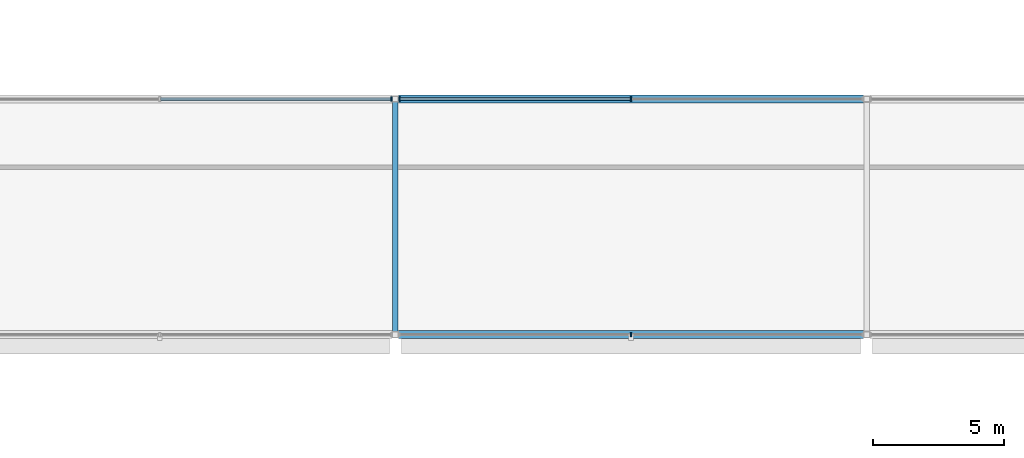
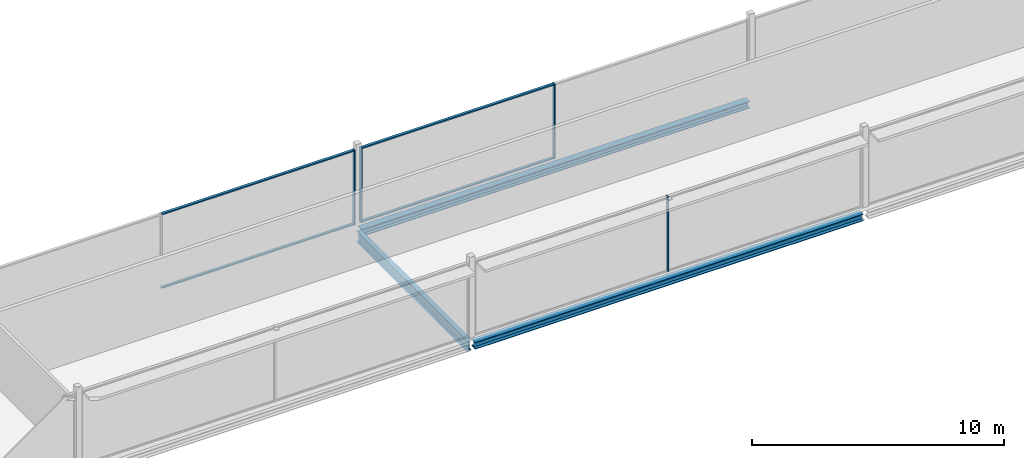
# One storey, part 38 of 98: 8 members, 3 beams, 3 elements without a shape of their own.
"""IFC4 building model written with IfcOpenShell, lengths in metres."""

from ifc_helpers import new_model, si_unit, direction, frame, origin, origin_2d, place, context, subcontext, project, spatial, rectangle, i_section, extrude, material, layer, layer_set, material_profile, profile_set, type_object, element, aggregate, save


model = new_model("IFC4")

# Units and contexts
model_context = context("Model", 3, precision=1e-05, world=origin(), true_north=direction((0.0, 1.0)))
body_context = subcontext(model_context, "Body", "Model", "MODEL_VIEW")
ifc_project = project(units=[si_unit("LENGTHUNIT", "METRE"), si_unit("AREAUNIT", "SQUARE_METRE"), si_unit("VOLUMEUNIT", "CUBIC_METRE"), si_unit("PLANEANGLEUNIT", "RADIAN"), si_unit("MASSUNIT", "GRAM", prefix="KILO")], contexts=[model_context])

# Site, building, storey
site_placement = place(None, origin())
site = spatial("IfcSite", under=ifc_project, at=site_placement, CompositionType="ELEMENT")
building_placement = place(site_placement, origin())
building = spatial("IfcBuilding", under=site, at=building_placement, Name="Kisiwana Market Hall", CompositionType="ELEMENT")
storey_placement = place(building_placement, frame((0.0, 0.0, 29.39990234375)))
storey = spatial("IfcBuildingStorey", under=building, at=storey_placement, Name="L06", CompositionType="ELEMENT", Elevation=29.39990234375)

# Beams
ifc_material_1 = material(Name="Steel S355", Category="steel")
ifc_material_profile_1 = material_profile(ifc_material_1, i_section(OverallWidth=0.209228515625, OverallDepth=0.533203125, WebThickness=0.010009765625, FlangeThickness=0.015625, at=origin_2d()), Name="UB 533x210x92")
ifc_profile_set_1 = profile_set([ifc_material_profile_1], Name="Steel S355")
beam_type_1 = type_object("IfcBeamType", Name="BM-GIRD-UB533", PredefinedType="BEAM", material=ifc_profile_set_1)
beam_placement = place(storey_placement, frame((117.0, 93.12109375, -0.531494140625), z_axis=(0.0, 1.0, 0.0), x_axis=(-1.0, 0.0, 0.0)))
element("IfcBeam", 1, at=beam_placement, inside=storey, type_object=beam_type_1, Name="Primary girder B-1726", PredefinedType="BEAM", context=body_context, shape_type="SweptSolid", body=[
    extrude(i_section(OverallWidth=0.209228515625, OverallDepth=0.533203125, WebThickness=0.010009765625, FlangeThickness=0.015625, at=origin_2d()), origin(), (0.0, 0.0, 1.0), 8.7578125),
])
ifc_material_2 = material(Name="Steel S355", Category="steel")
ifc_material_profile_2 = material_profile(ifc_material_2, i_section(OverallWidth=0.314453125, OverallDepth=0.33984375, WebThickness=0.01904296875, FlangeThickness=0.031494140625, at=origin_2d()), Name="UC 305x305x198")
ifc_profile_set_2 = profile_set([ifc_material_profile_2], Name="Steel S355")
beam_type_2 = type_object("IfcBeamType", Name="BM-SKYBR-CHORD", PredefinedType="BEAM", material=ifc_profile_set_2)
for number, where, z_axis, x_axis, name in (
    (2, (117.12109375, 93.0, -0.434814453125), (1.0, 0.0, 0.0), (0.0, 1.0, 0.0), "Floor beam B-1825"),
    (3, (117.12109375, 102.0, -0.434814453125), (1.0, 0.0, 0.0), (0.0, 1.0, 0.0), "Floor beam B-1835"),
):
    element("IfcBeam", number, at=place(storey_placement, frame(where, z_axis=z_axis, x_axis=x_axis)), inside=storey, type_object=beam_type_2, Name=name, PredefinedType="BEAM", context=body_context, shape_type="SweptSolid", body=[
        extrude(i_section(OverallWidth=0.314453125, OverallDepth=0.33984375, WebThickness=0.01904296875, FlangeThickness=0.031494140625, at=origin_2d()), origin(), (0.0, 0.0, 1.0), 17.7578125),
    ])

# Curtain wall, member
ifc_material_3 = material(Name="Double-glazed solar-control low-E IGU", Category="glass")
ifc_layer = layer(ifc_material_3, 0.159912109375)
ifc_layer_set = layer_set([ifc_layer], Name="CW-ZNA-EW-8200")
curtain_wall_type = type_object("IfcCurtainWallType", Name="CW-ZNA-EW-8200", PredefinedType="USERDEFINED", material=ifc_layer_set)
curtain_wall_1_placement = place(storey_placement, origin())
curtain_wall_1 = element("IfcCurtainWall", 4, at=curtain_wall_1_placement, inside=storey, type_object=curtain_wall_type, Name="Unitised curtain wall CW-188 (L06)", ObjectType="UNITISED CURTAIN WALL", PredefinedType="USERDEFINED")
ifc_material_4 = material(Name="Aluminium alloy 6063-T6", Category="aluminium")
ifc_material_profile_3 = material_profile(ifc_material_4, rectangle(XDim=0.06005859375, YDim=0.159912109375, at=origin_2d()), Name="ALU MULLION 60x160")
ifc_profile_set_3 = profile_set([ifc_material_profile_3], Name="Aluminium alloy 6063-T6")
member_type_1 = type_object("IfcMemberType", Name="CW-MULL-60x160", PredefinedType="MULLION", material=ifc_profile_set_3)
member_1_placement = place(storey_placement, frame((126.0, 93.0, 0.0), z_axis=(0.0, 0.0, 1.0), x_axis=(1.0, 0.0, 0.0)))
member_1 = element("IfcMember", 5, at=member_1_placement, type_object=member_type_1, Name="CW-188 mullion 2", PredefinedType="MULLION", context=body_context, shape_type="SweptSolid", body=[
    extrude(rectangle(XDim=0.06005859375, YDim=0.159912109375, at=origin_2d()), origin(), (0.0, 0.0, 1.0), 3.6201171875),
])
aggregate(curtain_wall_1, [member_1])

curtain_wall_2_placement = place(storey_placement, origin())
curtain_wall_2 = element("IfcCurtainWall", 6, at=curtain_wall_2_placement, inside=storey, type_object=curtain_wall_type, Name="Unitised curtain wall CW-193 (L06)", ObjectType="UNITISED CURTAIN WALL", PredefinedType="USERDEFINED")
member_2_placement = place(storey_placement, frame((116.844970703125, 102.0, 0.0), z_axis=(0.0, 0.0, 1.0), x_axis=(1.0, 0.0, 0.0)))
member_2 = element("IfcMember", 7, at=member_2_placement, type_object=member_type_1, Name="CW-193 mullion 3", PredefinedType="MULLION", context=body_context, shape_type="SweptSolid", body=[
    extrude(rectangle(XDim=0.06005859375, YDim=0.159912109375, at=origin_2d()), origin(), (0.0, 0.0, 1.0), 3.6201171875),
])

# Curtain wall, members
curtain_wall_3_placement = place(storey_placement, origin())
curtain_wall_3 = element("IfcCurtainWall", 8, at=curtain_wall_3_placement, inside=storey, type_object=curtain_wall_type, Name="Unitised curtain wall CW-194 (L06)", ObjectType="UNITISED CURTAIN WALL", PredefinedType="USERDEFINED")
member_3_placement = place(storey_placement, frame((117.155029296875, 102.0, 0.0), z_axis=(0.0, 0.0, 1.0), x_axis=(1.0, 0.0, 0.0)))
member_3 = element("IfcMember", 9, at=member_3_placement, type_object=member_type_1, Name="CW-194 mullion 1", PredefinedType="MULLION", context=body_context, shape_type="SweptSolid", body=[
    extrude(rectangle(XDim=0.06005859375, YDim=0.159912109375, at=origin_2d()), origin(), (0.0, 0.0, 1.0), 3.6201171875),
])
member_4_placement = place(storey_placement, frame((126.0, 102.0, 0.0), z_axis=(0.0, 0.0, 1.0), x_axis=(1.0, 0.0, 0.0)))
member_4 = element("IfcMember", 10, at=member_4_placement, type_object=member_type_1, Name="CW-194 mullion 2", PredefinedType="MULLION", context=body_context, shape_type="SweptSolid", body=[
    extrude(rectangle(XDim=0.06005859375, YDim=0.159912109375, at=origin_2d()), origin(), (0.0, 0.0, 1.0), 3.6201171875),
])

# Member
ifc_material_5 = material(Name="Aluminium alloy 6063-T6", Category="aluminium")
ifc_material_profile_4 = material_profile(ifc_material_5, rectangle(XDim=0.1201171875, YDim=0.06005859375, at=origin_2d()), Name="ALU TRANSOM 60x120")
ifc_profile_set_4 = profile_set([ifc_material_profile_4], Name="Aluminium alloy 6063-T6")
member_type_2 = type_object("IfcMemberType", Name="CW-TRAN-60x120", PredefinedType="USERDEFINED", material=ifc_profile_set_4)
member_5_placement = place(storey_placement, frame((108.030029296875, 102.0, 0.030029296875), z_axis=(1.0, 0.0, 0.0), x_axis=(0.0, 1.0, 0.0)))
member_5 = element("IfcMember", 11, at=member_5_placement, type_object=member_type_2, Name="CW-193 transom 2.1", ObjectType="TRANSOM", PredefinedType="USERDEFINED", context=body_context, shape_type="SweptSolid", body=[
    extrude(rectangle(XDim=0.1201171875, YDim=0.06005859375, at=origin_2d()), origin(), (0.0, 0.0, 1.0), 8.784912109375),
])

member_6_placement = place(storey_placement, frame((108.030029296875, 102.0, 3.590087890625), z_axis=(1.0, 0.0, 0.0), x_axis=(0.0, 1.0, 0.0)))
member_6 = element("IfcMember", 12, at=member_6_placement, type_object=member_type_2, Name="CW-193 transom 2.2", ObjectType="TRANSOM", PredefinedType="USERDEFINED", context=body_context, shape_type="SweptSolid", body=[
    extrude(rectangle(XDim=0.1201171875, YDim=0.06005859375, at=origin_2d()), origin(), (0.0, 0.0, 1.0), 8.784912109375),
])

aggregate(curtain_wall_2, [member_2, member_5, member_6])

member_7_placement = place(storey_placement, frame((117.18505859375, 102.0, 0.030029296875), z_axis=(1.0, 0.0, 0.0), x_axis=(0.0, 1.0, 0.0)))
member_7 = element("IfcMember", 13, at=member_7_placement, type_object=member_type_2, Name="CW-194 transom 1.1", ObjectType="TRANSOM", PredefinedType="USERDEFINED", context=body_context, shape_type="SweptSolid", body=[
    extrude(rectangle(XDim=0.1201171875, YDim=0.06005859375, at=origin_2d()), origin(), (0.0, 0.0, 1.0), 8.784912109375),
])

member_8_placement = place(storey_placement, frame((117.18505859375, 102.0, 3.590087890625), z_axis=(1.0, 0.0, 0.0), x_axis=(0.0, 1.0, 0.0)))
member_8 = element("IfcMember", 14, at=member_8_placement, type_object=member_type_2, Name="CW-194 transom 1.2", ObjectType="TRANSOM", PredefinedType="USERDEFINED", context=body_context, shape_type="SweptSolid", body=[
    extrude(rectangle(XDim=0.1201171875, YDim=0.06005859375, at=origin_2d()), origin(), (0.0, 0.0, 1.0), 8.784912109375),
])

aggregate(curtain_wall_3, [member_3, member_4, member_7, member_8])

save(model, "model.ifc")
